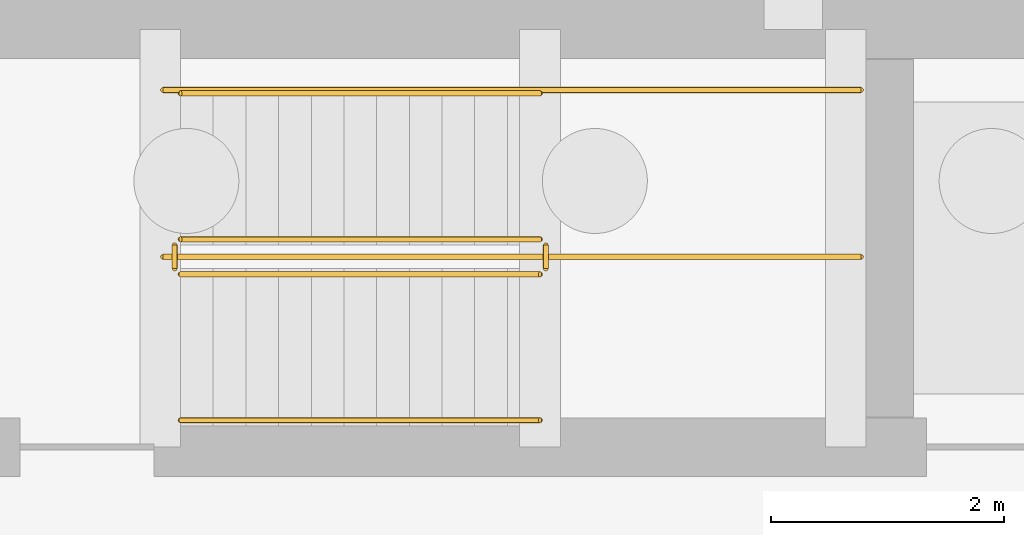
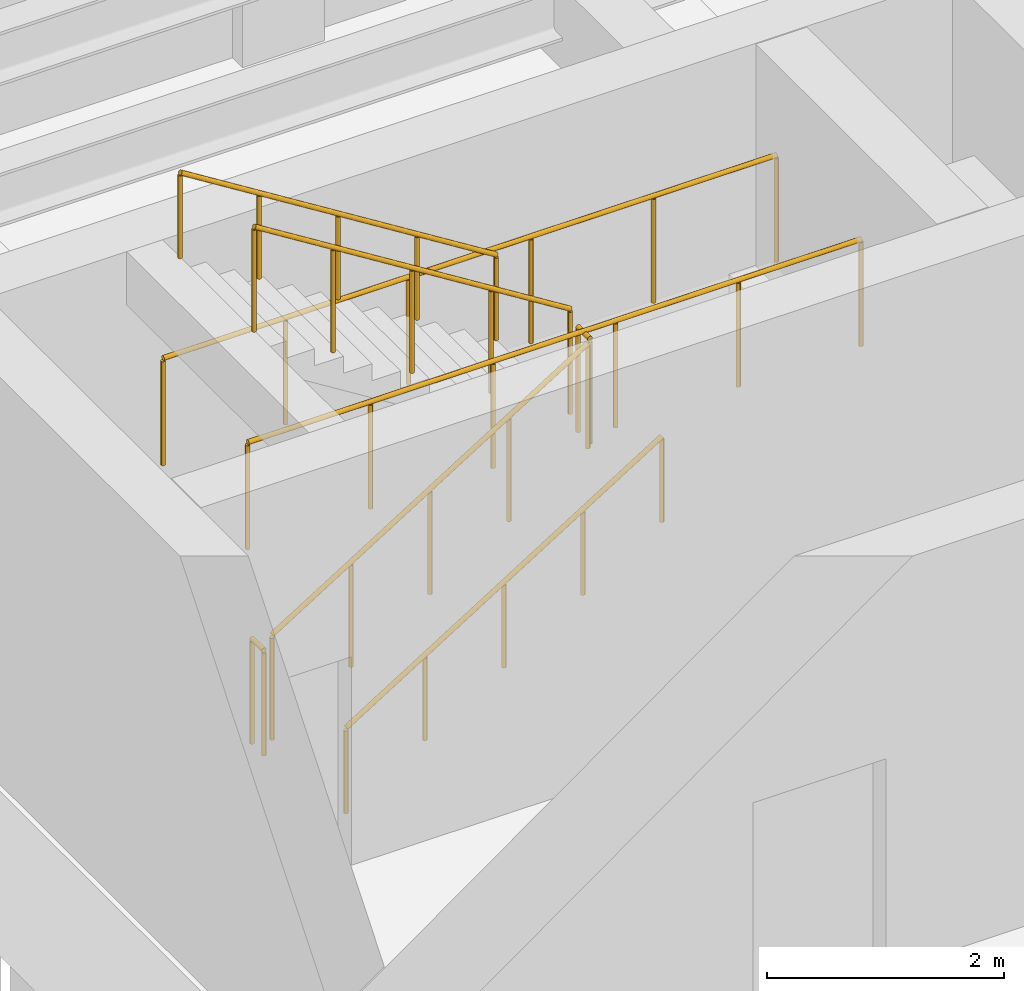
# One storey, part 18 of 22: 8 railings.
"""IFC4 building model written with IfcOpenShell, lengths in metres."""

from ifc_helpers import new_model, si_unit, direction, frame, origin, origin_2d, place, context, subcontext, project, spatial, circle, extrude, material, type_object, element, save


model = new_model("IFC4")

# Units and contexts
model_context = context("Model", 3, precision=1e-05, world=origin(), true_north=direction((0.0, 1.0)))
body_context = subcontext(model_context, "Body", "Model", "MODEL_VIEW")
ifc_project = project(units=[si_unit("LENGTHUNIT", "METRE"), si_unit("AREAUNIT", "SQUARE_METRE"), si_unit("VOLUMEUNIT", "CUBIC_METRE"), si_unit("PLANEANGLEUNIT", "RADIAN"), si_unit("MASSUNIT", "GRAM", prefix="KILO")], contexts=[model_context])

# Site, building, storey
site_placement = place(None, origin())
site = spatial("IfcSite", under=ifc_project, at=site_placement, CompositionType="ELEMENT")
building_placement = place(site_placement, origin())
building = spatial("IfcBuilding", under=site, at=building_placement, Name="Mithqara Police Headquarters", CompositionType="ELEMENT")
storey_placement = place(building_placement, frame((0.0, 0.0, -8.39990234375)))
storey = spatial("IfcBuildingStorey", under=building, at=storey_placement, Name="B2", CompositionType="ELEMENT", Elevation=-8.39990234375)

# Railings
ifc_material = material(Name="Steel S355JR", Category="steel")
railing_type_1 = type_object("IfcRailingType", Name="HANDRAIL 920", PredefinedType="HANDRAIL", material=ifc_material)
railing_1_placement = place(storey_placement, frame((9.75, 68.050048828125, 0.1748046875)))
element("IfcRailing", 1, at=railing_1_placement, inside=storey, type_object=railing_type_1, Name="B2 ST-03 stair handrail 1", PredefinedType="HANDRAIL", context=body_context, shape_type="SweptSolid", body=[
    extrude(circle(Radius=0.02392578125, at=origin_2d()), frame((0.0, 0.0, 0.8759765625), z_axis=(0.847998304005, 0.0, 0.529998940003), x_axis=(0.0, 1.0, 0.0)), (0.0, 0.0, 1.0), 3.632080078125),
    extrude(circle(Radius=0.02099609375, at=origin_2d()), origin(), (0.0, 0.0, 1.0), 0.851806640625),
    extrude(circle(Radius=0.02099609375, at=origin_2d()), frame((0.77001953125, 0.0, 0.481201171875)), (0.0, 0.0, 1.0), 0.851806640625),
    extrude(circle(Radius=0.02099609375, at=origin_2d()), frame((1.5400390625, 0.0, 0.96240234375)), (0.0, 0.0, 1.0), 0.851806640625),
    extrude(circle(Radius=0.02099609375, at=origin_2d()), frame((2.31005859375, 0.0, 1.44384765625)), (0.0, 0.0, 1.0), 0.851806640625),
    extrude(circle(Radius=0.02099609375, at=origin_2d()), frame((3.080078125, 0.0, 1.925048828125)), (0.0, 0.0, 1.0), 0.851806640625),
])
railing_2_placement = place(storey_placement, frame((12.830078125, 70.85009765625, 2.27490234375)))
element("IfcRailing", 2, at=railing_2_placement, inside=storey, type_object=railing_type_1, Name="B2 ST-03 stair handrail 2", PredefinedType="HANDRAIL", context=body_context, shape_type="SweptSolid", body=[
    extrude(circle(Radius=0.02392578125, at=origin_2d()), frame((0.0, 0.0, 0.8759765625), z_axis=(-0.847998304005, 0.0, 0.529998940003), x_axis=(0.0, -1.0, 0.0)), (0.0, 0.0, 1.0), 3.632080078125),
    extrude(circle(Radius=0.02099609375, at=origin_2d()), origin(), (0.0, 0.0, 1.0), 0.851806640625),
    extrude(circle(Radius=0.02099609375, at=origin_2d()), frame((-0.77001953125, 0.0, 0.481201171875)), (0.0, 0.0, 1.0), 0.851806640625),
    extrude(circle(Radius=0.02099609375, at=origin_2d()), frame((-1.5400390625, 0.0, 0.96240234375)), (0.0, 0.0, 1.0), 0.851806640625),
    extrude(circle(Radius=0.02099609375, at=origin_2d()), frame((-2.31005859375, 0.0, 1.44384765625)), (0.0, 0.0, 1.0), 0.851806640625),
    extrude(circle(Radius=0.02099609375, at=origin_2d()), frame((-3.080078125, 0.0, 1.925048828125)), (0.0, 0.0, 1.0), 0.851806640625),
])
railing_type_2 = type_object("IfcRailingType", Name="STAIR GUARD 1120", PredefinedType="GUARDRAIL", material=ifc_material)
railing_3_placement = place(storey_placement, frame((9.75, 69.300048828125, 0.1748046875)))
element("IfcRailing", 3, at=railing_3_placement, inside=storey, type_object=railing_type_2, Name="B2 ST-03 stair guard 1", PredefinedType="GUARDRAIL", context=body_context, shape_type="SweptSolid", body=[
    extrude(circle(Radius=0.02392578125, at=origin_2d()), frame((0.0, 0.0, 1.076171875), z_axis=(0.847998304005, 0.0, 0.529998940003), x_axis=(0.0, 1.0, 0.0)), (0.0, 0.0, 1.0), 3.632080078125),
    extrude(circle(Radius=0.02099609375, at=origin_2d()), origin(), (0.0, 0.0, 1.0), 1.052001953125),
    extrude(circle(Radius=0.02099609375, at=origin_2d()), frame((0.77001953125, 0.0, 0.481201171875)), (0.0, 0.0, 1.0), 1.052001953125),
    extrude(circle(Radius=0.02099609375, at=origin_2d()), frame((1.5400390625, 0.0, 0.96240234375)), (0.0, 0.0, 1.0), 1.052001953125),
    extrude(circle(Radius=0.02099609375, at=origin_2d()), frame((2.31005859375, 0.0, 1.44384765625)), (0.0, 0.0, 1.0), 1.052001953125),
    extrude(circle(Radius=0.02099609375, at=origin_2d()), frame((3.080078125, 0.0, 1.925048828125)), (0.0, 0.0, 1.0), 1.052001953125),
])
railing_4_placement = place(storey_placement, frame((12.8798828125, 69.35009765625, 2.099853515625)))
element("IfcRailing", 4, at=railing_4_placement, inside=storey, type_object=railing_type_2, Name="B2 ST-03 stair guard 2", PredefinedType="GUARDRAIL", context=body_context, shape_type="SweptSolid", body=[
    extrude(circle(Radius=0.02392578125, at=origin_2d()), frame((0.0, 0.0, 1.076171875), z_axis=(0.0, 1.0, 0.0), x_axis=(-1.0, 0.0, 0.0)), (0.0, 0.0, 1.0), 0.199951171875),
    extrude(circle(Radius=0.02099609375, at=origin_2d()), origin(), (0.0, 0.0, 1.0), 1.052001953125),
    extrude(circle(Radius=0.02099609375, at=origin_2d()), frame((0.0, 0.199951171875, 0.0)), (0.0, 0.0, 1.0), 1.052001953125),
])
railing_5_placement = place(storey_placement, frame((12.830078125, 69.60009765625, 2.27490234375)))
element("IfcRailing", 5, at=railing_5_placement, inside=storey, type_object=railing_type_2, Name="B2 ST-03 stair guard 3", PredefinedType="GUARDRAIL", context=body_context, shape_type="SweptSolid", body=[
    extrude(circle(Radius=0.02392578125, at=origin_2d()), frame((0.0, 0.0, 1.076171875), z_axis=(-0.847998304005, 0.0, 0.529998940003), x_axis=(0.0, -1.0, 0.0)), (0.0, 0.0, 1.0), 3.632080078125),
    extrude(circle(Radius=0.02099609375, at=origin_2d()), origin(), (0.0, 0.0, 1.0), 1.052001953125),
    extrude(circle(Radius=0.02099609375, at=origin_2d()), frame((-0.77001953125, 0.0, 0.481201171875)), (0.0, 0.0, 1.0), 1.052001953125),
    extrude(circle(Radius=0.02099609375, at=origin_2d()), frame((-1.5400390625, 0.0, 0.96240234375)), (0.0, 0.0, 1.0), 1.052001953125),
    extrude(circle(Radius=0.02099609375, at=origin_2d()), frame((-2.31005859375, 0.0, 1.44384765625)), (0.0, 0.0, 1.0), 1.052001953125),
    extrude(circle(Radius=0.02099609375, at=origin_2d()), frame((-3.080078125, 0.0, 1.925048828125)), (0.0, 0.0, 1.0), 1.052001953125),
])
railing_6_placement = place(storey_placement, frame((9.699951171875, 69.35009765625, 0.0)))
element("IfcRailing", 6, at=railing_6_placement, inside=storey, type_object=railing_type_2, Name="B2 ST-03 stair guard 4", PredefinedType="GUARDRAIL", context=body_context, shape_type="SweptSolid", body=[
    extrude(circle(Radius=0.02392578125, at=origin_2d()), frame((0.0, 0.0, 1.076171875), z_axis=(0.0, 1.0, 0.0), x_axis=(-1.0, 0.0, 0.0)), (0.0, 0.0, 1.0), 0.199951171875),
    extrude(circle(Radius=0.02099609375, at=origin_2d()), origin(), (0.0, 0.0, 1.0), 1.052001953125),
    extrude(circle(Radius=0.02099609375, at=origin_2d()), frame((0.0, 0.199951171875, 0.0)), (0.0, 0.0, 1.0), 1.052001953125),
])
for number, where, name in (
    (7, (9.60009765625, 69.449951171875, 2.099853515625), "B2 ST-03 Half-Landing Guard IN"),
    (8, (9.60009765625, 70.8798828125, 2.099853515625), "B2 ST-03 Half-Landing Guard OUT"),
):
    element("IfcRailing", number, at=place(storey_placement, frame(where)), inside=storey, type_object=railing_type_2, Name=name, PredefinedType="GUARDRAIL", context=body_context, shape_type="SweptSolid", body=[
        extrude(circle(Radius=0.02392578125, at=origin_2d()), frame((0.0, 0.0, 1.09619140625), z_axis=(1.0, 0.0, 0.0), x_axis=(0.0, 1.0, 0.0)), (0.0, 0.0, 1.0), 5.97998046875),
        extrude(circle(Radius=0.02099609375, at=origin_2d()), origin(), (0.0, 0.0, 1.0), 1.072021484375),
        extrude(circle(Radius=0.02099609375, at=origin_2d()), frame((1.196044921875, 0.0, 0.0)), (0.0, 0.0, 1.0), 1.072021484375),
        extrude(circle(Radius=0.02099609375, at=origin_2d()), frame((2.39208984375, 0.0, 0.0)), (0.0, 0.0, 1.0), 1.072021484375),
        extrude(circle(Radius=0.02099609375, at=origin_2d()), frame((3.587890625, 0.0, 0.0)), (0.0, 0.0, 1.0), 1.072021484375),
        extrude(circle(Radius=0.02099609375, at=origin_2d()), frame((4.783935546875, 0.0, 0.0)), (0.0, 0.0, 1.0), 1.072021484375),
        extrude(circle(Radius=0.02099609375, at=origin_2d()), frame((5.97998046875, 0.0, 0.0)), (0.0, 0.0, 1.0), 1.072021484375),
    ])

save(model, "model.ifc")
